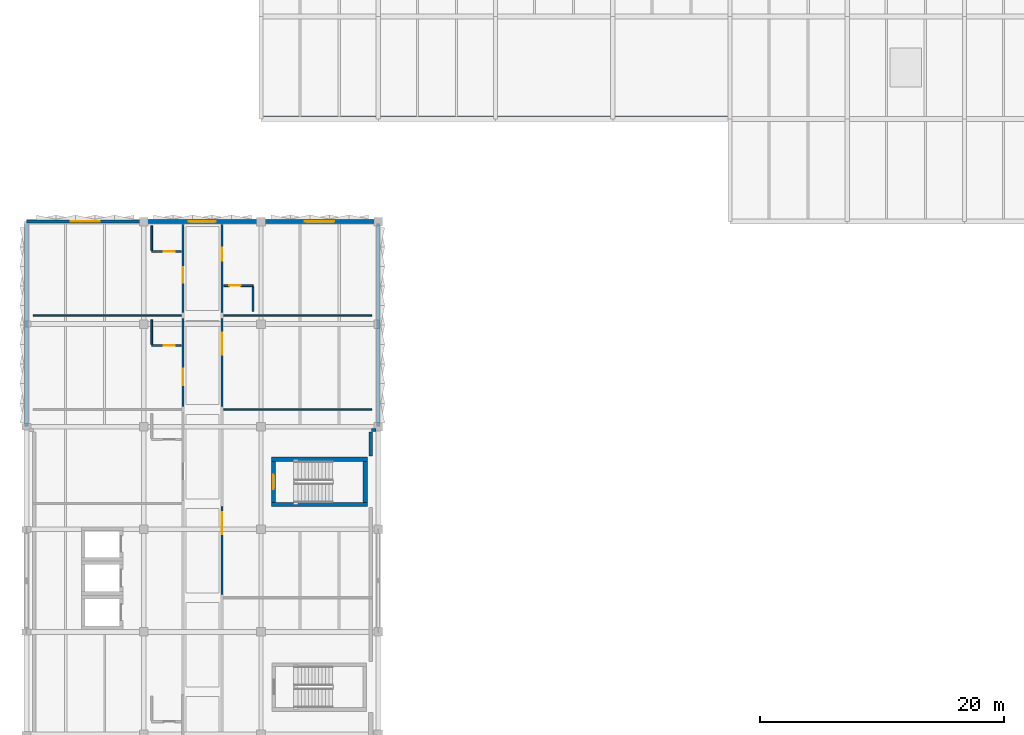
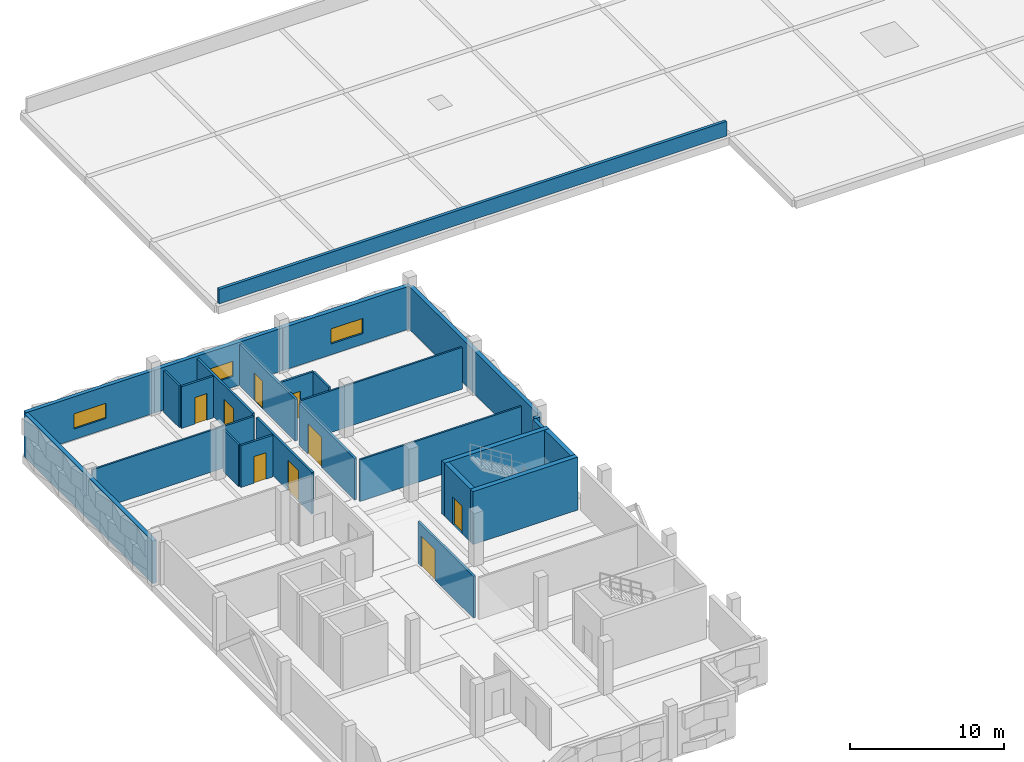
# One storey, part 38 of 57: 26 walls, 9 doors, 3 windows, 12 openings.
"""IFC4 building model written with IfcOpenShell, lengths in metres."""

from ifc_helpers import new_model, si_unit, direction, frame, frame_2d, origin, place, context, subcontext, project, spatial, rectangle, extrude, material, layer, layer_set, type_object, element, fill, save


model = new_model("IFC4")

# Units and contexts
model_context = context("Model", 3, precision=1e-05, world=origin(), true_north=direction((0.0, 1.0)))
body_context = subcontext(model_context, "Body", "Model", "MODEL_VIEW")
ifc_project = project(units=[si_unit("LENGTHUNIT", "METRE"), si_unit("AREAUNIT", "SQUARE_METRE"), si_unit("VOLUMEUNIT", "CUBIC_METRE"), si_unit("PLANEANGLEUNIT", "RADIAN"), si_unit("MASSUNIT", "GRAM", prefix="KILO")], contexts=[model_context])

# Site, building, storey
site_placement = place(None, origin())
site = spatial("IfcSite", under=ifc_project, at=site_placement, CompositionType="ELEMENT")
building_placement = place(site_placement, origin())
building = spatial("IfcBuilding", under=site, at=building_placement, Name="Oolite Switchyard Hospital", CompositionType="ELEMENT")
storey_placement = place(building_placement, frame((0.0, 0.0, 17.800048828125)))
storey = spatial("IfcBuildingStorey", under=building, at=storey_placement, Name="L04", CompositionType="ELEMENT", Elevation=17.800048828125)

# Walls
ifc_material_1 = material(Name="Precast oolitic limestone architectural concrete C40/50", Category="masonry")
ifc_layer_1 = layer(ifc_material_1, 0.260009765625)
ifc_layer_set_1 = layer_set([ifc_layer_1], Name="WAL-EXT-260")
wall_type_1 = type_object("IfcWallType", Name="WAL-EXT-260", PredefinedType="SOLIDWALL", material=ifc_layer_set_1)
wall_1_placement = place(storey_placement, frame((28.60009765625, 66.919921875, 0.0), z_axis=(0.0, 0.0, 1.0), x_axis=(-1.0, 0.0, 0.0)))
element("IfcWall", 1, at=wall_1_placement, inside=storey, type_object=wall_type_1, Name="L04 Brace Alcove Cheek Wall 287", PredefinedType="SOLIDWALL", context=body_context, shape_type="SweptSolid", body=[
    extrude(rectangle(XDim=0.360107421875, YDim=0.260009765625, at=frame_2d((0.18017578125, 0.0))), origin(), (0.0, 0.0, 1.0), 3.389892578125),
])
wall_2_placement = place(storey_placement, frame((28.179931640625, 66.780029296875, 0.0), z_axis=(0.0, 0.0, 1.0), x_axis=(0.0, -1.0, 0.0)))
element("IfcWall", 2, at=wall_2_placement, inside=storey, type_object=wall_type_1, Name="L04 Exterior Spandrel Wall 290", PredefinedType="SOLIDWALL", context=body_context, shape_type="SweptSolid", body=[
    extrude(rectangle(XDim=1.9951171875, YDim=0.260009765625, at=frame_2d((0.99755859375, 0.0))), origin(), (0.0, 0.0, 1.0), 3.389892578125),
])

# Wall, opening, window
ifc_layer_2 = layer(ifc_material_1, 0.280029296875)
ifc_layer_set_2 = layer_set([ifc_layer_2], Name="WAL-EXT-280")
wall_type_2 = type_object("IfcWallType", Name="WAL-EXT-280", PredefinedType="SOLIDWALL", material=ifc_layer_set_2)
wall_3_placement = place(storey_placement, frame((0.0, 84.0, 0.0), z_axis=(0.0, 0.0, 1.0), x_axis=(1.0, 0.0, 0.0)))
wall_3 = element("IfcWall", 3, at=wall_3_placement, inside=storey, type_object=wall_type_2, Name="L04 Exterior Spandrel Wall 263", PredefinedType="SOLIDWALL", context=body_context, shape_type="SweptSolid", body=[
    extrude(rectangle(XDim=9.60009765625, YDim=0.280029296875, at=frame_2d((4.800048828125, 0.0))), origin(), (0.0, 0.0, 1.0), 3.389892578125),
])
opening_1_placement = place(wall_3_placement, frame((3.60009765625, 0.0, 0.85009765625)))
opening_1 = element("IfcOpeningElement", 4, at=opening_1_placement, cuts=wall_3, Name="Opening WN-0158", PredefinedType="OPENING", context=body_context, shape_type="SweptSolid", body=[
    extrude(rectangle(XDim=2.39990234375, YDim=1.199951171875, at=frame_2d((1.199951171875, 0.60009765625))), frame((0.0, 0.14990234375, 0.0), z_axis=(0.0, -1.0, 0.0), x_axis=(1.0, 0.0, 0.0)), (0.0, 0.0, 1.0), 0.300048828125),
])
ifc_material_2 = material(Name="Thermally broken aluminum frame with laminated impact glazing", Category="aluminium")
window_type_1 = type_object("IfcWindowType", Name="WIN-IMP-240X120", PartitioningType="SINGLE_PANEL", PredefinedType="WINDOW", material=ifc_material_2)
window_1_placement = place(opening_1_placement, origin())
window_1 = element("IfcWindow", 5, at=window_1_placement, inside=storey, type_object=window_type_1, Name="L04 Hurricane Impact Window WN-0158", OverallHeight=1.199951171875, OverallWidth=2.39990234375, PartitioningType="SINGLE_PANEL", PredefinedType="WINDOW", context=body_context, shape_type="SweptSolid", body=[
    extrude(rectangle(XDim=2.39990234375, YDim=1.199951171875, at=frame_2d((1.199951171875, 0.60009765625))), frame((0.0, 0.030029296875, 0.0), z_axis=(0.0, -1.0, 0.0), x_axis=(1.0, 0.0, 0.0)), (0.0, 0.0, 1.0), 0.06005859375),
])
fill(opening_1, window_1)

ifc_layer_3 = layer(ifc_material_1, 0.300048828125)
ifc_layer_set_3 = layer_set([ifc_layer_3], Name="WAL-EXT-300")
wall_type_3 = type_object("IfcWallType", Name="WAL-EXT-300", PredefinedType="SOLIDWALL", material=ifc_layer_set_3)
wall_4_placement = place(storey_placement, frame((9.60009765625, 84.0, 0.0), z_axis=(0.0, 0.0, 1.0), x_axis=(1.0, 0.0, 0.0)))
wall_4 = element("IfcWall", 6, at=wall_4_placement, inside=storey, type_object=wall_type_3, Name="L04 Exterior Spandrel Wall 264", PredefinedType="SOLIDWALL", context=body_context, shape_type="SweptSolid", body=[
    extrude(rectangle(XDim=9.599853515625, YDim=0.300048828125, at=frame_2d((4.7998046875, 0.0))), origin(), (0.0, 0.0, 1.0), 3.389892578125),
])
opening_2_placement = place(wall_4_placement, frame((3.699951171875, 0.0, 0.85009765625)))
opening_2 = element("IfcOpeningElement", 7, at=opening_2_placement, cuts=wall_4, Name="Opening WN-0159", PredefinedType="OPENING", context=body_context, shape_type="SweptSolid", body=[
    extrude(rectangle(XDim=2.199951171875, YDim=1.199951171875, at=frame_2d((1.10009765625, 0.60009765625))), frame((0.0, 0.16015625, 0.0), z_axis=(0.0, -1.0, 0.0), x_axis=(1.0, 0.0, 0.0)), (0.0, 0.0, 1.0), 0.320068359375),
])
window_type_2 = type_object("IfcWindowType", Name="WIN-IMP-220X120", PartitioningType="SINGLE_PANEL", PredefinedType="WINDOW", material=ifc_material_2)
window_2_placement = place(opening_2_placement, origin())
window_2 = element("IfcWindow", 8, at=window_2_placement, inside=storey, type_object=window_type_2, Name="L04 Hurricane Impact Window WN-0159", OverallHeight=1.199951171875, OverallWidth=2.199951171875, PartitioningType="SINGLE_PANEL", PredefinedType="WINDOW", context=body_context, shape_type="SweptSolid", body=[
    extrude(rectangle(XDim=2.199951171875, YDim=1.199951171875, at=frame_2d((1.10009765625, 0.60009765625))), frame((0.0, 0.030029296875, 0.0), z_axis=(0.0, -1.0, 0.0), x_axis=(1.0, 0.0, 0.0)), (0.0, 0.0, 1.0), 0.06005859375),
])
fill(opening_2, window_2)

# Walls
for number, where, z_axis, x_axis, name in (
    (9, (0.0, 67.199951171875, 0.0), (0.0, 0.0, 1.0), (0.0, 1.0, 0.0), "L04 Exterior Spandrel Wall 285"),
    (10, (28.800048828125, 83.840087890625, 0.0), (0.0, 0.0, 1.0), (0.0, -1.0, 0.0), "L04 Exterior Spandrel Wall 292"),
):
    element("IfcWall", number, at=place(storey_placement, frame(where, z_axis=z_axis, x_axis=x_axis)), inside=storey, type_object=wall_type_3, Name=name, PredefinedType="SOLIDWALL", context=body_context, shape_type="SweptSolid", body=[
        extrude(rectangle(XDim=16.64013671875, YDim=0.300048828125, at=frame_2d((8.320068359375, 0.0))), origin(), (0.0, 0.0, 1.0), 3.389892578125),
    ])

# Wall, opening, window
ifc_layer_4 = layer(ifc_material_1, 0.320068359375)
ifc_layer_set_4 = layer_set([ifc_layer_4], Name="WAL-EXT-320")
wall_type_4 = type_object("IfcWallType", Name="WAL-EXT-320", PredefinedType="SOLIDWALL", material=ifc_layer_set_4)
wall_5_placement = place(storey_placement, frame((19.199951171875, 84.0, 0.0), z_axis=(0.0, 0.0, 1.0), x_axis=(1.0, 0.0, 0.0)))
wall_5 = element("IfcWall", 11, at=wall_5_placement, inside=storey, type_object=wall_type_4, Name="L04 Exterior Spandrel Wall 265", PredefinedType="SOLIDWALL", context=body_context, shape_type="SweptSolid", body=[
    extrude(rectangle(XDim=9.60009765625, YDim=0.320068359375, at=frame_2d((4.800048828125, 0.0))), origin(), (0.0, 0.0, 1.0), 3.389892578125),
])
opening_3_placement = place(wall_5_placement, frame((3.60009765625, 0.0, 0.85009765625)))
opening_3 = element("IfcOpeningElement", 12, at=opening_3_placement, cuts=wall_5, Name="Opening WN-0160", PredefinedType="OPENING", context=body_context, shape_type="SweptSolid", body=[
    extrude(rectangle(XDim=2.39990234375, YDim=1.199951171875, at=frame_2d((1.199951171875, 0.60009765625))), frame((0.0, 0.169921875, 0.0), z_axis=(0.0, -1.0, 0.0), x_axis=(1.0, 0.0, 0.0)), (0.0, 0.0, 1.0), 0.340087890625),
])
window_3_placement = place(opening_3_placement, origin())
window_3 = element("IfcWindow", 13, at=window_3_placement, inside=storey, type_object=window_type_1, Name="L04 Hurricane Impact Window WN-0160", OverallHeight=1.199951171875, OverallWidth=2.39990234375, PartitioningType="SINGLE_PANEL", PredefinedType="WINDOW", context=body_context, shape_type="SweptSolid", body=[
    extrude(rectangle(XDim=2.39990234375, YDim=1.199951171875, at=frame_2d((1.199951171875, 0.60009765625))), frame((0.0, 0.030029296875, 0.0), z_axis=(0.0, -1.0, 0.0), x_axis=(1.0, 0.0, 0.0)), (0.0, 0.0, 1.0), 0.06005859375),
])
fill(opening_3, window_3)

# Walls
ifc_layer_5 = layer(ifc_material_1, 0.219970703125)
ifc_layer_set_5 = layer_set([ifc_layer_5], Name="WAL-PAR-220")
wall_type_5 = type_object("IfcWallType", Name="WAL-PAR-220", PredefinedType="PARAPET", material=ifc_layer_set_5)
wall_6_placement = place(storey_placement, frame((19.39990234375, 92.550048828125, 0.0), z_axis=(0.0, 0.0, 1.0), x_axis=(1.0, 0.0, 0.0)))
element("IfcWall", 14, at=wall_6_placement, inside=storey, type_object=wall_type_5, Name="L04 Roof Parapet Wall 6", PredefinedType="PARAPET", context=body_context, shape_type="SweptSolid", body=[
    extrude(rectangle(XDim=38.0, YDim=0.219970703125, at=frame_2d((19.0, 0.0))), origin(), (0.0, 0.0, 1.0), 1.14990234375),
])
ifc_material_3 = material(Name="Moisture-resistant gypsum board on steel studs", Category="steel")
ifc_layer_6 = layer(ifc_material_3, 0.135009765625)
ifc_layer_set_6 = layer_set([ifc_layer_6], Name="WAL-PART-135")
wall_type_6 = type_object("IfcWallType", Name="WAL-PART-135", PredefinedType="PARTITIONING", material=ifc_layer_set_6)
wall_7_placement = place(storey_placement, frame((16.14990234375, 68.60009765625, 0.0), z_axis=(0.0, 0.0, 1.0), x_axis=(1.0, 0.0, 0.0)))
element("IfcWall", 15, at=wall_7_placement, inside=storey, type_object=wall_type_6, Name="L04 Interior Partition 754", PredefinedType="PARTITIONING", context=body_context, shape_type="SweptSolid", body=[
    extrude(rectangle(XDim=12.10009765625, YDim=0.135009765625, at=frame_2d((6.050048828125, 0.0))), origin(), (0.0, 0.0, 1.0), 3.300048828125),
])
wall_8_placement = place(storey_placement, frame((0.550048828125, 76.300048828125, 0.0), z_axis=(0.0, 0.0, 1.0), x_axis=(1.0, 0.0, 0.0)))
element("IfcWall", 16, at=wall_8_placement, inside=storey, type_object=wall_type_6, Name="L04 Interior Partition 758", PredefinedType="PARTITIONING", context=body_context, shape_type="SweptSolid", body=[
    extrude(rectangle(XDim=12.099853515625, YDim=0.135009765625, at=frame_2d((6.0498046875, 0.0))), origin(), (0.0, 0.0, 1.0), 3.300048828125),
])
wall_9_placement = place(storey_placement, frame((16.14990234375, 76.300048828125, 0.0), z_axis=(0.0, 0.0, 1.0), x_axis=(1.0, 0.0, 0.0)))
element("IfcWall", 17, at=wall_9_placement, inside=storey, type_object=wall_type_6, Name="L04 Interior Partition 762", PredefinedType="PARTITIONING", context=body_context, shape_type="SweptSolid", body=[
    extrude(rectangle(XDim=12.10009765625, YDim=0.135009765625, at=frame_2d((6.050048828125, 0.0))), origin(), (0.0, 0.0, 1.0), 3.300048828125),
])

# Wall, opening, door
ifc_layer_7 = layer(ifc_material_3, 0.14990234375)
ifc_layer_set_7 = layer_set([ifc_layer_7], Name="WAL-PART-150")
wall_type_7 = type_object("IfcWallType", Name="WAL-PART-150", PredefinedType="PARTITIONING", material=ifc_layer_set_7)
wall_10_placement = place(storey_placement, frame((10.25, 73.85009765625, 0.0), z_axis=(0.0, 0.0, 1.0), x_axis=(1.0, 0.0, 0.0)))
wall_10 = element("IfcWall", 18, at=wall_10_placement, inside=storey, type_object=wall_type_7, Name="L04 Interior Partition 750", PredefinedType="PARTITIONING", context=body_context, shape_type="SweptSolid", body=[
    extrude(rectangle(XDim=2.39990234375, YDim=0.14990234375, at=frame_2d((1.199951171875, 0.0))), origin(), (0.0, 0.0, 1.0), 3.300048828125),
])
opening_4_placement = place(wall_10_placement, frame((1.0, 0.0, 0.0)))
opening_4 = element("IfcOpeningElement", 19, at=opening_4_placement, cuts=wall_10, Name="Opening D-0418", PredefinedType="OPENING", context=body_context, shape_type="SweptSolid", body=[
    extrude(rectangle(XDim=0.89990234375, YDim=2.10009765625, at=frame_2d((0.449951171875, 1.050048828125))), frame((0.0, 0.0849609375, 0.0), z_axis=(0.0, -1.0, 0.0), x_axis=(1.0, 0.0, 0.0)), (0.0, 0.0, 1.0), 0.169921875),
])
ifc_material_4 = material(Name="Solid-core antimicrobial hardwood leaf in steel frame", Category="steel")
door_type_1 = type_object("IfcDoorType", Name="DR-BATH-090X210", OperationType="NOTDEFINED", PredefinedType="DOOR", material=ifc_material_4)
door_1_placement = place(opening_4_placement, origin())
door_1 = element("IfcDoor", 20, at=door_1_placement, inside=storey, type_object=door_type_1, Name="L04 Interior Door D-0418", OperationType="SINGLE_SWING_RIGHT", OverallHeight=2.10009765625, OverallWidth=0.89990234375, PredefinedType="DOOR", context=body_context, shape_type="SweptSolid", body=[
    extrude(rectangle(XDim=0.89990234375, YDim=2.10009765625, at=frame_2d((0.449951171875, 1.050048828125))), frame((0.0, 0.02490234375, 0.0), z_axis=(0.0, -1.0, 0.0), x_axis=(1.0, 0.0, 0.0)), (0.0, 0.0, 1.0), 0.050048828125),
])
fill(opening_4, door_1)

# Wall
wall_11_placement = place(storey_placement, frame((10.25, 73.949951171875, 0.0), z_axis=(0.0, 0.0, 1.0), x_axis=(0.0, 1.0, 0.0)))
element("IfcWall", 21, at=wall_11_placement, inside=storey, type_object=wall_type_7, Name="L04 Interior Partition 751", PredefinedType="PARTITIONING", context=body_context, shape_type="SweptSolid", body=[
    extrude(rectangle(XDim=2.0, YDim=0.14990234375, at=frame_2d((1.0, 0.0))), origin(), (0.0, 0.0, 1.0), 3.300048828125),
])

# Wall, opening, door
wall_12_placement = place(storey_placement, frame((10.25, 81.550048828125, 0.0), z_axis=(0.0, 0.0, 1.0), x_axis=(1.0, 0.0, 0.0)))
wall_12 = element("IfcWall", 22, at=wall_12_placement, inside=storey, type_object=wall_type_7, Name="L04 Interior Partition 756", PredefinedType="PARTITIONING", context=body_context, shape_type="SweptSolid", body=[
    extrude(rectangle(XDim=2.39990234375, YDim=0.14990234375, at=frame_2d((1.199951171875, 0.0))), origin(), (0.0, 0.0, 1.0), 3.300048828125),
])
opening_5_placement = place(wall_12_placement, frame((1.0, 0.0, 0.0)))
opening_5 = element("IfcOpeningElement", 23, at=opening_5_placement, cuts=wall_12, Name="Opening D-0421", PredefinedType="OPENING", context=body_context, shape_type="SweptSolid", body=[
    extrude(rectangle(XDim=0.89990234375, YDim=2.10009765625, at=frame_2d((0.449951171875, 1.050048828125))), frame((0.0, 0.0849609375, 0.0), z_axis=(0.0, -1.0, 0.0), x_axis=(1.0, 0.0, 0.0)), (0.0, 0.0, 1.0), 0.169921875),
])
door_2_placement = place(opening_5_placement, origin())
door_2 = element("IfcDoor", 24, at=door_2_placement, inside=storey, type_object=door_type_1, Name="L04 Interior Door D-0421", OperationType="SINGLE_SWING_LEFT", OverallHeight=2.10009765625, OverallWidth=0.89990234375, PredefinedType="DOOR", context=body_context, shape_type="SweptSolid", body=[
    extrude(rectangle(XDim=0.89990234375, YDim=2.10009765625, at=frame_2d((0.449951171875, 1.050048828125))), frame((0.0, 0.02490234375, 0.0), z_axis=(0.0, -1.0, 0.0), x_axis=(1.0, 0.0, 0.0)), (0.0, 0.0, 1.0), 0.050048828125),
])
fill(opening_5, door_2)

# Wall
wall_13_placement = place(storey_placement, frame((10.25, 81.64990234375, 0.0), z_axis=(0.0, 0.0, 1.0), x_axis=(0.0, 1.0, 0.0)))
element("IfcWall", 25, at=wall_13_placement, inside=storey, type_object=wall_type_7, Name="L04 Interior Partition 757", PredefinedType="PARTITIONING", context=body_context, shape_type="SweptSolid", body=[
    extrude(rectangle(XDim=2.0, YDim=0.14990234375, at=frame_2d((1.0, 0.0))), origin(), (0.0, 0.0, 1.0), 3.300048828125),
])

# Wall, opening, door
wall_14_placement = place(storey_placement, frame((16.14990234375, 78.75, 0.0), z_axis=(0.0, 0.0, 1.0), x_axis=(1.0, 0.0, 0.0)))
wall_14 = element("IfcWall", 26, at=wall_14_placement, inside=storey, type_object=wall_type_7, Name="L04 Interior Partition 760", PredefinedType="PARTITIONING", context=body_context, shape_type="SweptSolid", body=[
    extrude(rectangle(XDim=2.400146484375, YDim=0.14990234375, at=frame_2d((1.2001953125, 0.0))), origin(), (0.0, 0.0, 1.0), 3.300048828125),
])
opening_6_placement = place(wall_14_placement, frame((0.449951171875, 0.0, 0.0)))
opening_6 = element("IfcOpeningElement", 27, at=opening_6_placement, cuts=wall_14, Name="Opening D-0423", PredefinedType="OPENING", context=body_context, shape_type="SweptSolid", body=[
    extrude(rectangle(XDim=0.949951171875, YDim=2.10009765625, at=frame_2d((0.47509765625, 1.050048828125))), frame((0.0, 0.0849609375, 0.0), z_axis=(0.0, -1.0, 0.0), x_axis=(1.0, 0.0, 0.0)), (0.0, 0.0, 1.0), 0.169921875),
])
door_type_2 = type_object("IfcDoorType", Name="DR-BATH-095X210", OperationType="NOTDEFINED", PredefinedType="DOOR", material=ifc_material_4)
door_3_placement = place(opening_6_placement, origin())
door_3 = element("IfcDoor", 28, at=door_3_placement, inside=storey, type_object=door_type_2, Name="L04 Interior Door D-0423", OperationType="SINGLE_SWING_RIGHT", OverallHeight=2.10009765625, OverallWidth=0.949951171875, PredefinedType="DOOR", context=body_context, shape_type="SweptSolid", body=[
    extrude(rectangle(XDim=0.949951171875, YDim=2.10009765625, at=frame_2d((0.47509765625, 1.050048828125))), frame((0.0, 0.02490234375, 0.0), z_axis=(0.0, -1.0, 0.0), x_axis=(1.0, 0.0, 0.0)), (0.0, 0.0, 1.0), 0.050048828125),
])
fill(opening_6, door_3)

# Wall
wall_15_placement = place(storey_placement, frame((18.550048828125, 76.64990234375, 0.0), z_axis=(0.0, 0.0, 1.0), x_axis=(0.0, 1.0, 0.0)))
element("IfcWall", 29, at=wall_15_placement, inside=storey, type_object=wall_type_7, Name="L04 Interior Partition 761", PredefinedType="PARTITIONING", context=body_context, shape_type="SweptSolid", body=[
    extrude(rectangle(XDim=2.0, YDim=0.14990234375, at=frame_2d((1.0, 0.0))), origin(), (0.0, 0.0, 1.0), 3.300048828125),
])

# Wall, opening, door
ifc_layer_8 = layer(ifc_material_3, 0.1650390625)
ifc_layer_set_8 = layer_set([ifc_layer_8], Name="WAL-PART-165")
wall_type_8 = type_object("IfcWallType", Name="WAL-PART-165", PredefinedType="PARTITIONING", material=ifc_layer_set_8)
wall_16_placement = place(storey_placement, frame((16.0, 53.449951171875, 0.0), z_axis=(0.0, 0.0, 1.0), x_axis=(0.0, 1.0, 0.0)))
wall_16 = element("IfcWall", 30, at=wall_16_placement, inside=storey, type_object=wall_type_8, Name="L04 Interior Partition 743", PredefinedType="PARTITIONING", context=body_context, shape_type="SweptSolid", body=[
    extrude(rectangle(XDim=7.199951171875, YDim=0.1650390625, at=frame_2d((3.60009765625, 0.0))), origin(), (0.0, 0.0, 1.0), 3.300048828125),
])
opening_7_placement = place(wall_16_placement, frame((4.949951171875, 0.0, 0.0)))
opening_7 = element("IfcOpeningElement", 31, at=opening_7_placement, cuts=wall_16, Name="Opening D-0414", PredefinedType="OPENING", context=body_context, shape_type="SweptSolid", body=[
    extrude(rectangle(XDim=1.800048828125, YDim=2.39990234375, at=frame_2d((0.89990234375, 1.199951171875))), frame((0.0, 0.092529296875, 0.0), z_axis=(0.0, -1.0, 0.0), x_axis=(1.0, 0.0, 0.0)), (0.0, 0.0, 1.0), 0.18505859375),
])
ifc_material_5 = material(Name="Hollow metal fire-rated steel door assembly", Category="steel")
door_type_3 = type_object("IfcDoorType", Name="DR-OR-180X240", OperationType="NOTDEFINED", PredefinedType="DOOR", material=ifc_material_5)
door_4_placement = place(opening_7_placement, origin())
door_4 = element("IfcDoor", 32, at=door_4_placement, inside=storey, type_object=door_type_3, Name="L04 Interior Door D-0414", OperationType="DOUBLE_DOOR_SINGLE_SWING", OverallHeight=2.39990234375, OverallWidth=1.800048828125, PredefinedType="DOOR", context=body_context, shape_type="SweptSolid", body=[
    extrude(rectangle(XDim=1.800048828125, YDim=2.39990234375, at=frame_2d((0.89990234375, 1.199951171875))), frame((0.0, 0.02490234375, 0.0), z_axis=(0.0, -1.0, 0.0), x_axis=(1.0, 0.0, 0.0)), (0.0, 0.0, 1.0), 0.050048828125),
])
fill(opening_7, door_4)

wall_17_placement = place(storey_placement, frame((12.800048828125, 68.85009765625, 0.0), z_axis=(0.0, 0.0, 1.0), x_axis=(0.0, 1.0, 0.0)))
wall_17 = element("IfcWall", 33, at=wall_17_placement, inside=storey, type_object=wall_type_8, Name="L04 Interior Partition 749", PredefinedType="PARTITIONING", context=body_context, shape_type="SweptSolid", body=[
    extrude(rectangle(XDim=7.199951171875, YDim=0.1650390625, at=frame_2d((3.60009765625, 0.0))), origin(), (0.0, 0.0, 1.0), 3.300048828125),
])
opening_8_placement = place(wall_17_placement, frame((1.75, 0.0, 0.0)))
opening_8 = element("IfcOpeningElement", 34, at=opening_8_placement, cuts=wall_17, Name="Opening D-0417", PredefinedType="OPENING", context=body_context, shape_type="SweptSolid", body=[
    extrude(rectangle(XDim=1.35009765625, YDim=2.39990234375, at=frame_2d((0.675048828125, 1.199951171875))), frame((0.0, 0.092529296875, 0.0), z_axis=(0.0, -1.0, 0.0), x_axis=(1.0, 0.0, 0.0)), (0.0, 0.0, 1.0), 0.18505859375),
])
door_type_4 = type_object("IfcDoorType", Name="DR-ICU-135X240", OperationType="NOTDEFINED", PredefinedType="DOOR", material=ifc_material_4)
door_5_placement = place(opening_8_placement, origin())
door_5 = element("IfcDoor", 35, at=door_5_placement, inside=storey, type_object=door_type_4, Name="L04 Interior Door D-0417", OperationType="SINGLE_SWING_LEFT", OverallHeight=2.39990234375, OverallWidth=1.35009765625, PredefinedType="DOOR", context=body_context, shape_type="SweptSolid", body=[
    extrude(rectangle(XDim=1.35009765625, YDim=2.39990234375, at=frame_2d((0.675048828125, 1.199951171875))), frame((0.0, 0.02490234375, 0.0), z_axis=(0.0, -1.0, 0.0), x_axis=(1.0, 0.0, 0.0)), (0.0, 0.0, 1.0), 0.050048828125),
])
fill(opening_8, door_5)

wall_18_placement = place(storey_placement, frame((16.0, 68.85009765625, 0.0), z_axis=(0.0, 0.0, 1.0), x_axis=(0.0, 1.0, 0.0)))
wall_18 = element("IfcWall", 36, at=wall_18_placement, inside=storey, type_object=wall_type_8, Name="L04 Interior Partition 753", PredefinedType="PARTITIONING", context=body_context, shape_type="SweptSolid", body=[
    extrude(rectangle(XDim=7.199951171875, YDim=0.1650390625, at=frame_2d((3.60009765625, 0.0))), origin(), (0.0, 0.0, 1.0), 3.300048828125),
])
opening_9_placement = place(wall_18_placement, frame((4.25, 0.0, 0.0)))
opening_9 = element("IfcOpeningElement", 37, at=opening_9_placement, cuts=wall_18, Name="Opening D-0419", PredefinedType="OPENING", context=body_context, shape_type="SweptSolid", body=[
    extrude(rectangle(XDim=1.800048828125, YDim=2.39990234375, at=frame_2d((0.89990234375, 1.199951171875))), frame((0.0, 0.092529296875, 0.0), z_axis=(0.0, -1.0, 0.0), x_axis=(1.0, 0.0, 0.0)), (0.0, 0.0, 1.0), 0.18505859375),
])
door_6_placement = place(opening_9_placement, origin())
door_6 = element("IfcDoor", 38, at=door_6_placement, inside=storey, type_object=door_type_3, Name="L04 Interior Door D-0419", OperationType="DOUBLE_DOOR_SINGLE_SWING", OverallHeight=2.39990234375, OverallWidth=1.800048828125, PredefinedType="DOOR", context=body_context, shape_type="SweptSolid", body=[
    extrude(rectangle(XDim=1.800048828125, YDim=2.39990234375, at=frame_2d((0.89990234375, 1.199951171875))), frame((0.0, 0.02490234375, 0.0), z_axis=(0.0, -1.0, 0.0), x_axis=(1.0, 0.0, 0.0)), (0.0, 0.0, 1.0), 0.050048828125),
])
fill(opening_9, door_6)

wall_19_placement = place(storey_placement, frame((12.800048828125, 76.550048828125, 0.0), z_axis=(0.0, 0.0, 1.0), x_axis=(0.0, 1.0, 0.0)))
wall_19 = element("IfcWall", 39, at=wall_19_placement, inside=storey, type_object=wall_type_8, Name="L04 Interior Partition 755", PredefinedType="PARTITIONING", context=body_context, shape_type="SweptSolid", body=[
    extrude(rectangle(XDim=7.199951171875, YDim=0.1650390625, at=frame_2d((3.60009765625, 0.0))), origin(), (0.0, 0.0, 1.0), 3.300048828125),
])
opening_10_placement = place(wall_19_placement, frame((2.449951171875, 0.0, 0.0)))
opening_10 = element("IfcOpeningElement", 40, at=opening_10_placement, cuts=wall_19, Name="Opening D-0420", PredefinedType="OPENING", context=body_context, shape_type="SweptSolid", body=[
    extrude(rectangle(XDim=1.25, YDim=2.199951171875, at=frame_2d((0.625, 1.10009765625))), frame((0.0, 0.092529296875, 0.0), z_axis=(0.0, -1.0, 0.0), x_axis=(1.0, 0.0, 0.0)), (0.0, 0.0, 1.0), 0.18505859375),
])
door_type_5 = type_object("IfcDoorType", Name="DR-WARD-125X220", OperationType="NOTDEFINED", PredefinedType="DOOR", material=ifc_material_4)
door_7_placement = place(opening_10_placement, origin())
door_7 = element("IfcDoor", 41, at=door_7_placement, inside=storey, type_object=door_type_5, Name="L04 Interior Door D-0420", OperationType="SINGLE_SWING_RIGHT", OverallHeight=2.199951171875, OverallWidth=1.25, PredefinedType="DOOR", context=body_context, shape_type="SweptSolid", body=[
    extrude(rectangle(XDim=1.25, YDim=2.199951171875, at=frame_2d((0.625, 1.10009765625))), frame((0.0, 0.02490234375, 0.0), z_axis=(0.0, -1.0, 0.0), x_axis=(1.0, 0.0, 0.0)), (0.0, 0.0, 1.0), 0.050048828125),
])
fill(opening_10, door_7)

wall_20_placement = place(storey_placement, frame((16.0, 76.550048828125, 0.0), z_axis=(0.0, 0.0, 1.0), x_axis=(0.0, 1.0, 0.0)))
wall_20 = element("IfcWall", 42, at=wall_20_placement, inside=storey, type_object=wall_type_8, Name="L04 Interior Partition 759", PredefinedType="PARTITIONING", context=body_context, shape_type="SweptSolid", body=[
    extrude(rectangle(XDim=7.199951171875, YDim=0.1650390625, at=frame_2d((3.60009765625, 0.0))), origin(), (0.0, 0.0, 1.0), 3.300048828125),
])
opening_11_placement = place(wall_20_placement, frame((4.25, 0.0, 0.0)))
opening_11 = element("IfcOpeningElement", 43, at=opening_11_placement, cuts=wall_20, Name="Opening D-0422", PredefinedType="OPENING", context=body_context, shape_type="SweptSolid", body=[
    extrude(rectangle(XDim=1.050048828125, YDim=2.199951171875, at=frame_2d((0.52490234375, 1.10009765625))), frame((0.0, 0.092529296875, 0.0), z_axis=(0.0, -1.0, 0.0), x_axis=(1.0, 0.0, 0.0)), (0.0, 0.0, 1.0), 0.18505859375),
])
door_type_6 = type_object("IfcDoorType", Name="DR-DUTY-105X220", OperationType="NOTDEFINED", PredefinedType="DOOR", material=ifc_material_4)
door_8_placement = place(opening_11_placement, origin())
door_8 = element("IfcDoor", 44, at=door_8_placement, inside=storey, type_object=door_type_6, Name="L04 Interior Door D-0422", OperationType="SINGLE_SWING_LEFT", OverallHeight=2.199951171875, OverallWidth=1.050048828125, PredefinedType="DOOR", context=body_context, shape_type="SweptSolid", body=[
    extrude(rectangle(XDim=1.050048828125, YDim=2.199951171875, at=frame_2d((0.52490234375, 1.10009765625))), frame((0.0, 0.02490234375, 0.0), z_axis=(0.0, -1.0, 0.0), x_axis=(1.0, 0.0, 0.0)), (0.0, 0.0, 1.0), 0.050048828125),
])
fill(opening_11, door_8)

# Walls
ifc_material_6 = material(Name="Concrete C50/60", Category="concrete")
ifc_layer_9 = layer(ifc_material_6, 0.35009765625)
ifc_layer_set_9 = layer_set([ifc_layer_9], Name="WAL-SHR-350")
wall_type_9 = type_object("IfcWallType", Name="WAL-SHR-350", PredefinedType="SHEAR", material=ifc_layer_set_9)
wall_21_placement = place(storey_placement, frame((20.050048828125, 60.824951171875, 0.0), z_axis=(0.0, 0.0, 1.0), x_axis=(1.0, 0.0, 0.0)))
element("IfcWall", 45, at=wall_21_placement, inside=storey, type_object=wall_type_9, Name="L04 Core Shear Wall ST-02", PredefinedType="SHEAR", context=body_context, shape_type="SweptSolid", body=[
    extrude(rectangle(XDim=7.849853515625, YDim=0.35009765625, at=frame_2d((3.9248046875, 0.0))), origin(), (0.0, 0.0, 1.0), 4.199951171875),
])
wall_22_placement = place(storey_placement, frame((27.72509765625, 61.0, 0.0), z_axis=(0.0, 0.0, 1.0), x_axis=(0.0, 1.0, 0.0)))
element("IfcWall", 46, at=wall_22_placement, inside=storey, type_object=wall_type_9, Name="L04 Core Shear Wall ST-02", PredefinedType="SHEAR", context=body_context, shape_type="SweptSolid", body=[
    extrude(rectangle(XDim=3.360107421875, YDim=0.35009765625, at=frame_2d((1.68017578125, 0.0))), origin(), (0.0, 0.0, 1.0), 4.199951171875),
])
wall_23_placement = place(storey_placement, frame((27.89990234375, 64.534912109375, 0.0), z_axis=(0.0, 0.0, 1.0), x_axis=(-1.0, 0.0, 0.0)))
element("IfcWall", 47, at=wall_23_placement, inside=storey, type_object=wall_type_9, Name="L04 Core Shear Wall ST-02", PredefinedType="SHEAR", context=body_context, shape_type="SweptSolid", body=[
    extrude(rectangle(XDim=7.849853515625, YDim=0.35009765625, at=frame_2d((3.9248046875, 0.0))), origin(), (0.0, 0.0, 1.0), 4.199951171875),
])

# Wall, opening, door
wall_24_placement = place(storey_placement, frame((20.22509765625, 64.360107421875, 0.0), z_axis=(0.0, 0.0, 1.0), x_axis=(0.0, -1.0, 0.0)))
wall_24 = element("IfcWall", 48, at=wall_24_placement, inside=storey, type_object=wall_type_9, Name="L04 Core Shear Wall ST-02", PredefinedType="SHEAR", context=body_context, shape_type="SweptSolid", body=[
    extrude(rectangle(XDim=3.360107421875, YDim=0.35009765625, at=frame_2d((1.68017578125, 0.0))), origin(), (0.0, 0.0, 1.0), 4.199951171875),
])
opening_12_placement = place(wall_24_placement, frame((1.080078125, 0.0, 0.0)))
opening_12 = element("IfcOpeningElement", 49, at=opening_12_placement, cuts=wall_24, Name="Opening SD-012", PredefinedType="OPENING", context=body_context, shape_type="SweptSolid", body=[
    extrude(rectangle(XDim=1.199951171875, YDim=2.199951171875, at=frame_2d((0.60009765625, 1.10009765625))), frame((0.0, 0.18505859375, 0.0), z_axis=(0.0, -1.0, 0.0), x_axis=(1.0, 0.0, 0.0)), (0.0, 0.0, 1.0), 0.3701171875),
])
door_type_7 = type_object("IfcDoorType", Name="DR-STR-120X220", OperationType="NOTDEFINED", PredefinedType="DOOR", material=ifc_material_5)
door_9_placement = place(opening_12_placement, origin())
door_9 = element("IfcDoor", 50, at=door_9_placement, inside=storey, type_object=door_type_7, Name="L04 ST-02 Exit Stair Door SD-012", OperationType="SINGLE_SWING_RIGHT", OverallHeight=2.199951171875, OverallWidth=1.199951171875, PredefinedType="DOOR", context=body_context, shape_type="SweptSolid", body=[
    extrude(rectangle(XDim=1.199951171875, YDim=2.199951171875, at=frame_2d((0.60009765625, 1.10009765625))), frame((0.0, 0.02490234375, 0.0), z_axis=(0.0, -1.0, 0.0), x_axis=(1.0, 0.0, 0.0)), (0.0, 0.0, 1.0), 0.050048828125),
])
fill(opening_12, door_9)

save(model, "model.ifc")
